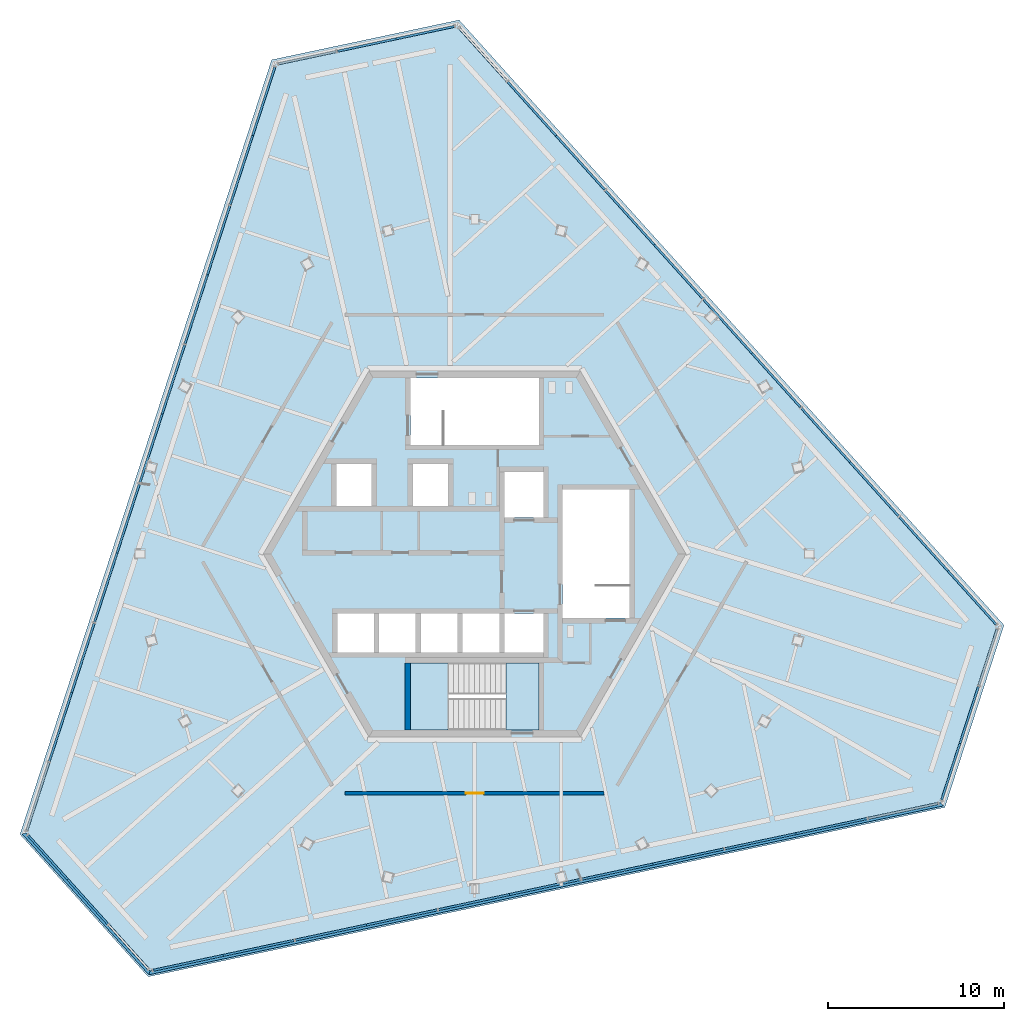
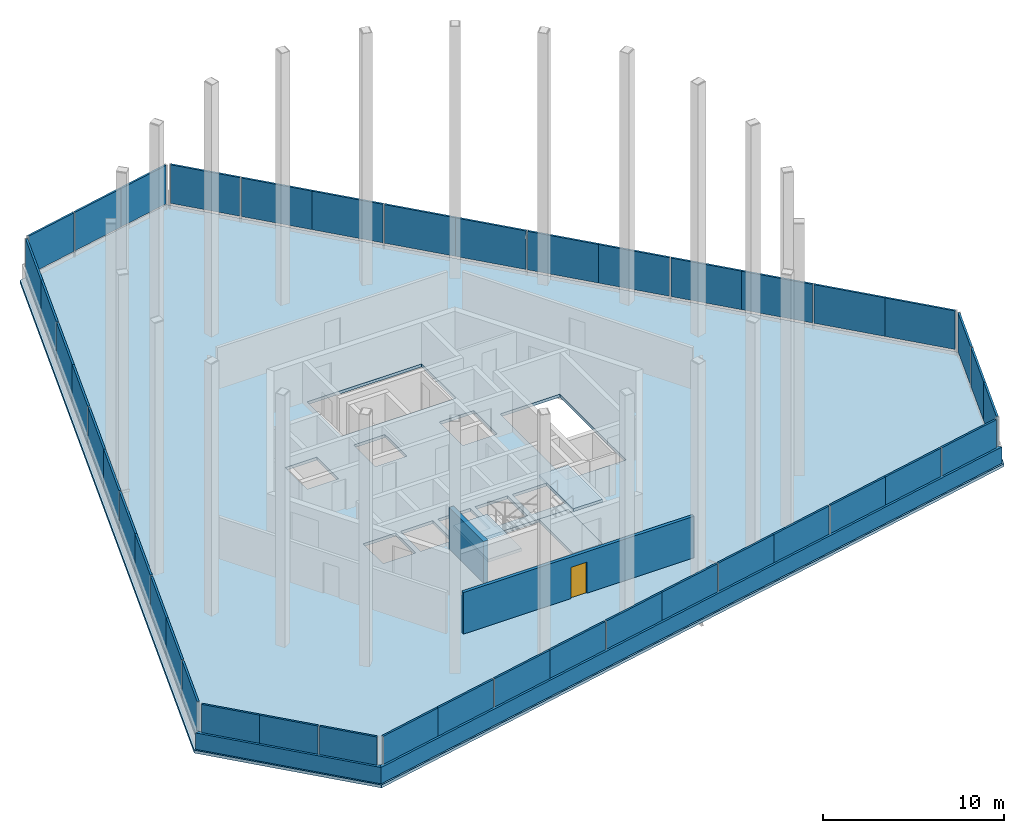
# One storey, part 6 of 11: 42 plates, 4 slabs, 4 walls, 1 door, 1 opening, 7 elements without a shape of their own.
"""IFC4 building model written with IfcOpenShell, lengths in metres."""

import ifcopenshell
import ifcopenshell.guid

model = None  # the IFC model being written
_history = None  # IfcOwnerHistory: only IFC2X3 demands one
_inside = {}  # id of a spatial element -> (the spatial element, [elements in it])
_under = {}  # id of a project, library or spatial element -> (it, [spatial elements below it])
_declared = {}  # id of a project -> (the project, [libraries it declares])
_typed = {}  # id of a type object -> (the type object, [elements of that type])
_made_of = {}  # id of a material, layer set ... -> (it, [elements and type objects made of it])


def new_model(schema):
    """Start an empty IFC model of exactly this schema.

    Asked for "IFC4X3", IfcOpenShell would pick the latest addendum, in which some entities
    have other attributes; the version numbers below select the first issue.
    IFC2X3 requires an IfcOwnerHistory on every rooted entity: one is made here for all.
    """
    global model, _history
    if schema == "IFC4X3":
        model = ifcopenshell.file(schema_version=(4, 3, 0, 0))
    else:
        model = ifcopenshell.file(schema=schema)
    _inside.clear()
    _under.clear()
    _declared.clear()
    _typed.clear()
    _made_of.clear()
    _history = None
    if model.schema == "IFC2X3":
        org = make("IfcOrganization", Name="unknown")
        user = make(
            "IfcPersonAndOrganization",
            ThePerson=make("IfcPerson", FamilyName="unknown"),
            TheOrganization=org,
        )
        app = make(
            "IfcApplication",
            ApplicationDeveloper=org,
            Version="unknown",
            ApplicationFullName="unknown",
            ApplicationIdentifier="unknown",
        )
        _history = make(
            "IfcOwnerHistory",
            OwningUser=user,
            OwningApplication=app,
            ChangeAction="ADDED",
            CreationDate=0,
        )
    return model


def make(cls, **values):
    """One entity of the class cls with the attributes given. An attribute that is None is left unset."""
    return model.create_entity(
        cls, **{name: value for name, value in values.items() if value is not None}
    )


def rooted(cls, **values):
    """An entity with a GlobalId (a new one), such as an element, a storey or a relation."""
    return make(cls, GlobalId=ifcopenshell.guid.new(), OwnerHistory=_history, **values)


def si_unit(unit_type, name, prefix=None):
    """IfcSIUnit, for example si_unit("LENGTHUNIT", "METRE", prefix="MILLI")."""
    return make("IfcSIUnit", UnitType=unit_type, Prefix=prefix, Name=name)


def assignment(units):
    """IfcUnitAssignment: the units of a project."""
    return None if units is None else make("IfcUnitAssignment", Units=units)


def point(xyz):
    """IfcCartesianPoint."""
    return None if xyz is None else make("IfcCartesianPoint", Coordinates=xyz)


def direction(xyz):
    """IfcDirection."""
    return None if xyz is None else make("IfcDirection", DirectionRatios=xyz)


def frame(location, z_axis=None, x_axis=None):
    """IfcAxis2Placement3D, a coordinate frame: its origin and axes. An axis left out is left unset."""
    return make(
        "IfcAxis2Placement3D",
        Location=point(location),
        Axis=direction(z_axis),
        RefDirection=direction(x_axis),
    )


def frame_2d(location, x_axis=None):
    """IfcAxis2Placement2D, a coordinate frame in the plane: its origin and x axis."""
    return make(
        "IfcAxis2Placement2D", Location=point(location), RefDirection=direction(x_axis)
    )


def origin():
    """The frame at (0, 0, 0) with its axes left unset."""
    return frame((0.0, 0.0, 0.0))


def origin_2d():
    """The frame at (0, 0) in the plane with its x axis left unset."""
    return frame_2d((0.0, 0.0))


def place(relative_to, where):
    """IfcLocalPlacement: puts the frame where relative to a parent placement (None: the world)."""
    return make(
        "IfcLocalPlacement", PlacementRelTo=relative_to, RelativePlacement=where
    )


def context(
    kind, dimensions, precision=None, world=None, true_north=None, identifier=None
):
    """IfcGeometricRepresentationContext, for example the 3D "Model" context."""
    return make(
        "IfcGeometricRepresentationContext",
        ContextIdentifier=identifier,
        ContextType=kind,
        CoordinateSpaceDimension=dimensions,
        Precision=precision,
        WorldCoordinateSystem=world,
        TrueNorth=true_north,
    )


def subcontext(parent, identifier, kind, view, scale=None):
    """IfcGeometricRepresentationSubContext, for example "Body" below "Model"."""
    return make(
        "IfcGeometricRepresentationSubContext",
        ContextIdentifier=identifier,
        ContextType=kind,
        ParentContext=parent,
        TargetScale=scale,
        TargetView=view,
    )


def project(units=None, contexts=None):
    """IfcProject with its units and contexts."""
    return rooted(
        "IfcProject",
        Name="project",
        RepresentationContexts=contexts,
        UnitsInContext=assignment(units),
    )


def spatial(cls, under=None, at=None, **own):
    """A site, building, storey or space (cls), placed at a placement, below another one or the project."""
    s = rooted(cls, ObjectPlacement=at, **own)
    if under is not None:
        _under.setdefault(under.id(), (under, []))[1].append(s)
    return s


def polyline(points):
    """IfcPolyline through the points."""
    return make("IfcPolyline", Points=[point(p) for p in points])


def profile(cls, at=None, kind="AREA", **sizes):
    """A parametric profile (cls). Its sizes go by their IFC names, for example OverallWidth=200.0."""
    return make(cls, ProfileType=kind, Position=at, **sizes)


def rectangle(**sizes):
    """IfcRectangleProfileDef."""
    return profile("IfcRectangleProfileDef", **sizes)


def outline(outer, holes=None, kind="AREA"):
    """IfcArbitraryClosedProfileDef: a profile drawn as a closed curve; with holes, ...WithVoids."""
    if holes is None:
        return make("IfcArbitraryClosedProfileDef", ProfileType=kind, OuterCurve=outer)
    return make(
        "IfcArbitraryProfileDefWithVoids",
        ProfileType=kind,
        OuterCurve=outer,
        InnerCurves=holes,
    )


def extrude(swept, where, along, depth):
    """IfcExtrudedAreaSolid: the profile swept, set in the frame where, extruded along a direction by depth."""
    return make(
        "IfcExtrudedAreaSolid",
        SweptArea=swept,
        Position=where,
        ExtrudedDirection=direction(along),
        Depth=depth,
    )


def shape(context_of_items, identifier, shape_type, items):
    """IfcShapeRepresentation: the items that make up one representation, for example the "Body"."""
    return make(
        "IfcShapeRepresentation",
        ContextOfItems=context_of_items,
        RepresentationIdentifier=identifier,
        RepresentationType=shape_type,
        Items=items,
    )


def source(mapping_origin, context_of_items, identifier, shape_type, items):
    """IfcRepresentationMap: a shape defined once, which mapped items show again and again."""
    return make(
        "IfcRepresentationMap",
        MappingOrigin=mapping_origin,
        MappedRepresentation=shape(context_of_items, identifier, shape_type, items),
    )


def transform(
    local_origin,
    x_axis=None,
    y_axis=None,
    z_axis=None,
    scale=None,
    scale2=None,
    scale3=None,
    uniform=True,
):
    """IfcCartesianTransformationOperator3D, or its non-uniform kind. x_axis, y_axis, z_axis: its Axis1, 2, 3."""
    if uniform:
        return make(
            "IfcCartesianTransformationOperator3D",
            Axis1=direction(x_axis),
            Axis2=direction(y_axis),
            LocalOrigin=point(local_origin),
            Scale=scale,
            Axis3=direction(z_axis),
        )
    return make(
        "IfcCartesianTransformationOperator3DnonUniform",
        Axis1=direction(x_axis),
        Axis2=direction(y_axis),
        LocalOrigin=point(local_origin),
        Scale=scale,
        Axis3=direction(z_axis),
        Scale2=scale2,
        Scale3=scale3,
    )


def mapped(mapping_source, mapping_target):
    """IfcMappedItem: shows the shape of a source again, moved by a transform."""
    return make(
        "IfcMappedItem", MappingSource=mapping_source, MappingTarget=mapping_target
    )


def material(Name=None, Category=None):
    """IfcMaterial."""
    return make("IfcMaterial", Name=Name, Category=Category)


def layer(
    of_material, thickness, ventilated=None, Name=None, Category=None, Priority=None
):
    """IfcMaterialLayer: one layer of a wall or slab, of a material (None: an air gap)."""
    return make(
        "IfcMaterialLayer",
        Material=of_material,
        LayerThickness=thickness,
        IsVentilated=ventilated,
        Name=Name,
        Category=Category,
        Priority=Priority,
    )


def layer_set(layers, Name=None):
    """IfcMaterialLayerSet."""
    return make("IfcMaterialLayerSet", MaterialLayers=layers, LayerSetName=Name)


def made_of(thing, what):
    """Note that an element or type object is made of a material, layer set ...; save() writes the relation."""
    if what is not None:
        _made_of.setdefault(what.id(), (what, []))[1].append(thing)
    return thing


def type_object(cls, material=None, **own):
    """A type object (cls), such as IfcWallType, which elements share."""
    return made_of(rooted(cls, **own), material)


def element(
    cls,
    number,
    at=None,
    inside=None,
    cuts=None,
    type_object=None,
    material=None,
    context=None,
    identifier="Body",
    shape_type=None,
    held_by="IfcProductDefinitionShape",
    body=None,
    shapes=None,
    **own,
):
    """One element of the class cls, such as IfcWall. Its Tag is "e" and its number.

    at: its placement. inside: the storey or other place that contains it. cuts: it is an
    opening in that element (IfcRelVoidsElement). A single representation is given by context,
    identifier, shape_type and body (its items); several are given by shapes. held_by: the class
    of the entity that holds the representations. save() writes the other relations.
    """
    e = rooted(cls, Tag="e%d" % number, ObjectPlacement=at, **own)
    if body is not None:
        shapes = [shape(context, identifier, shape_type, body)]
    if shapes is not None:
        e.Representation = make(held_by, Representations=shapes)
    if inside is not None:
        _inside.setdefault(inside.id(), (inside, []))[1].append(e)
    if cuts is not None:
        rooted(
            "IfcRelVoidsElement", RelatingBuildingElement=cuts, RelatedOpeningElement=e
        )
    if type_object is not None:
        _typed.setdefault(type_object.id(), (type_object, []))[1].append(e)
    return made_of(e, material)


def fill(opening, filler):
    """IfcRelFillsElement: the door or window that sits in an opening."""
    return rooted(
        "IfcRelFillsElement",
        RelatingOpeningElement=opening,
        RelatedBuildingElement=filler,
    )


def aggregate(whole, parts):
    """IfcRelAggregates: a whole, such as a stair, and the parts it consists of."""
    return rooted("IfcRelAggregates", RelatingObject=whole, RelatedObjects=parts)


def save(model, path):
    """Write the relations noted so far, then the file.

    IfcRelAggregates (storeys below a building ...), IfcRelContainedInSpatialStructure (elements
    in a storey), IfcRelDefinesByType, IfcRelAssociatesMaterial and IfcRelDeclares: one each for
    every whole, place, type object, material and project.
    """
    for whole, parts in _under.values():
        aggregate(whole, parts)
    for where, things in _inside.values():
        rooted(
            "IfcRelContainedInSpatialStructure",
            RelatedElements=things,
            RelatingStructure=where,
        )
    for kind, things in _typed.values():
        rooted("IfcRelDefinesByType", RelatedObjects=things, RelatingType=kind)
    for what, things in _made_of.values():
        rooted("IfcRelAssociatesMaterial", RelatedObjects=things, RelatingMaterial=what)
    for by, libraries in _declared.values():
        rooted("IfcRelDeclares", RelatingContext=by, RelatedDefinitions=libraries)
    model.write(path)


model = new_model("IFC4")

# Units and contexts
model_context = context("Model", 3, precision=1e-05, world=origin(), true_north=direction((0.0, 1.0)))
body_context = subcontext(model_context, "Body", "Model", "MODEL_VIEW")
ifc_project = project(units=[si_unit("LENGTHUNIT", "METRE"), si_unit("AREAUNIT", "SQUARE_METRE"), si_unit("VOLUMEUNIT", "CUBIC_METRE"), si_unit("PLANEANGLEUNIT", "RADIAN"), si_unit("MASSUNIT", "GRAM", prefix="KILO")], contexts=[model_context])

# Site, building, storey
site_placement = place(None, origin())
site = spatial("IfcSite", under=ifc_project, at=site_placement, CompositionType="ELEMENT")
building_placement = place(site_placement, origin())
building = spatial("IfcBuilding", under=site, at=building_placement, Name="Triune Harvest Tower", CompositionType="ELEMENT")
storey_placement = place(building_placement, frame((0.0, 0.0, 296.699951171875)))
storey = spatial("IfcBuildingStorey", under=building, at=storey_placement, Name="L78", CompositionType="ELEMENT", Elevation=296.699951171875)

# Curtain wall, plates
ifc_material_1 = material(Name="Aluminium bronze anodised", Category="aluminium")
curtain_wall_type = type_object("IfcCurtainWallType", Name="CW-5 Plant louvre wall", PredefinedType="NOTDEFINED", material=ifc_material_1)
curtain_wall_1_placement = place(storey_placement, origin())
curtain_wall_1 = element("IfcCurtainWall", 1, at=curtain_wall_1_placement, inside=storey, type_object=curtain_wall_type, Name="CW-5 CP-F4 L78 run 1")
ifc_material_2 = material(Name="Aluminium bronze anodised", Category="aluminium")
ifc_layer_1 = layer(ifc_material_2, 0.1201171875)
ifc_layer_set_1 = layer_set([ifc_layer_1], Name="Aluminium bronze anodised")
plate_type = type_object("IfcPlateType", Name="GL-5 panel 120", PredefinedType="CURTAIN_PANEL", material=ifc_layer_set_1)
plate_1_placement = place(storey_placement, frame((-24.233154296875, -17.2294921875, 0.39990234375), z_axis=(0.0, 0.0, 1.0), x_axis=(0.669132031472, -0.743143542297, 0.0)))
plate_1 = element("IfcPlate", 2, at=plate_1_placement, type_object=plate_type, Name="CW-5 panel CP-F4 1.1", PredefinedType="CURTAIN_PANEL", context=body_context, shape_type="SweptSolid", body=[
    extrude(rectangle(XDim=3.37109375, YDim=0.1201171875, at=origin_2d()), origin(), (0.0, 0.0, 1.0), 2.60009765625),
])
plate_2_placement = place(storey_placement, frame((-19.65478515625, -22.314208984375, 0.39990234375), z_axis=(0.0, 0.0, 1.0), x_axis=(0.669132031472, -0.743143542297, 0.0)))
plate_2 = element("IfcPlate", 3, at=plate_2_placement, type_object=plate_type, Name="CW-5 panel CP-F4 1.3", PredefinedType="CURTAIN_PANEL", context=body_context, shape_type="SweptSolid", body=[
    extrude(rectangle(XDim=3.3310546875, YDim=0.1201171875, at=origin_2d()), origin(), (0.0, 0.0, 1.0), 2.60009765625),
])

# Slab
ifc_material_3 = material(Name="Concrete 40 MPa", Category="concrete")
ifc_layer_2 = layer(ifc_material_3, 0.199951171875)
ifc_layer_set_2 = layer_set([ifc_layer_2], Name="Concrete 40 MPa")
slab_type_1 = type_object("IfcSlabType", Name="SL-5 Roof slab 200", PredefinedType="FLOOR", material=ifc_layer_set_2)
slab_1_placement = place(storey_placement, frame((0.0, 0.0, -0.199951171875)))
element("IfcSlab", 4, at=slab_1_placement, inside=storey, type_object=slab_type_1, Name="slab/L78/1", PredefinedType="FLOOR", context=body_context, shape_type="SweptSolid", body=[
    extrude(outline(polyline([(30.05810546875, -4.04638671875), (-0.88232421875, 30.31640625), (-11.524658203125, 28.054443359375), (-25.813720703125, -15.922607421875), (-18.533447265625, -24.0078125), (26.696044921875, -14.39404296875), (30.05810546875, -4.04638671875)]), holes=[polyline([(-5.72509765625, -5.590087890625), (-5.72509765625, -3.389892578125), (-7.800048828125, -3.389892578125), (-7.800048828125, -5.590087890625), (-5.72509765625, -5.590087890625)]), polyline([(-3.35009765625, -5.590087890625), (-3.35009765625, -3.389892578125), (-5.425048828125, -3.389892578125), (-5.425048828125, -5.590087890625), (-3.35009765625, -5.590087890625)]), polyline([(-0.97509765625, -5.590087890625), (-0.97509765625, -3.389892578125), (-3.050048828125, -3.389892578125), (-3.050048828125, -5.590087890625), (-0.97509765625, -5.590087890625)]), polyline([(1.39990234375, -5.590087890625), (1.39990234375, -3.389892578125), (-0.675048828125, -3.389892578125), (-0.675048828125, -5.590087890625), (1.39990234375, -5.590087890625)]), polyline([(3.89990234375, 2.06005859375), (3.89990234375, 4.659912109375), (1.699951171875, 4.659912109375), (1.699951171875, 2.06005859375), (3.89990234375, 2.06005859375)]), polyline([(3.89990234375, -5.590087890625), (3.89990234375, -3.389892578125), (1.699951171875, -3.389892578125), (1.699951171875, -5.590087890625), (3.89990234375, -5.590087890625)]), polyline([(-5.85009765625, 2.7099609375), (-5.85009765625, 5.110107421875), (-7.85009765625, 5.110107421875), (-7.85009765625, 2.7099609375), (-5.85009765625, 2.7099609375)]), polyline([(-1.5, 2.7099609375), (-1.5, 5.110107421875), (-3.5, 5.110107421875), (-3.5, 2.7099609375), (-1.5, 2.7099609375)]), polyline([(3.64990234375, 6.18994140625), (3.64990234375, 9.989990234375), (-3.64990234375, 9.989990234375), (-3.64990234375, 6.18994140625), (3.64990234375, 6.18994140625)]), polyline([(3.64990234375, -9.989990234375), (3.64990234375, -6.18994140625), (-3.64990234375, -6.18994140625), (-3.64990234375, -9.989990234375), (3.64990234375, -9.989990234375)]), polyline([(8.800048828125, -3.64990234375), (8.800048828125, 3.64990234375), (5.0, 3.64990234375), (5.0, -3.64990234375), (8.800048828125, -3.64990234375)])]), origin(), (0.0, 0.0, 1.0), 0.199951171875),
])

# Stair, slabs
ifc_material_4 = material(Name="Concrete 40 MPa", Category="concrete")
stair_type = type_object("IfcStairType", Name="Exit stair 1800 half turn", PredefinedType="HALF_TURN_STAIR", material=ifc_material_4)
stair_placement = place(storey_placement, origin())
stair = element("IfcStair", 5, at=stair_placement, inside=storey, type_object=stair_type, Name="Exit stair south", PredefinedType="HALF_TURN_STAIR")
ifc_material_5 = material(Name="Concrete 40 MPa", Category="concrete")
ifc_layer_3 = layer(ifc_material_5, 0.199951171875)
ifc_layer_set_3 = layer_set([ifc_layer_3], Name="Concrete 40 MPa")
slab_type_2 = type_object("IfcSlabType", Name="Stair landing 200", PredefinedType="LANDING", material=ifc_layer_set_3)
shared_shape_1 = source(origin(), body_context, "Body", "SweptSolid", [
    extrude(outline(polyline([(-1.510009765625, -6.18994140625), (-3.64990234375, -6.18994140625), (-3.64990234375, -9.989990234375), (-1.510009765625, -9.989990234375), (-1.510009765625, -6.18994140625)])), origin(), (0.0, 0.0, 1.0), 0.199951171875),
])
slab_2_placement = place(storey_placement, frame((0.0, 0.0, 1.300048828125)))
slab_2 = element("IfcSlab", 6, at=slab_2_placement, type_object=slab_type_2, Name="ST-2 landing 2", PredefinedType="LANDING", context=body_context, shape_type="MappedRepresentation", body=[
    mapped(shared_shape_1, transform((0.0, 0.0, 0.0), scale=1.0)),
])
shared_shape_2 = source(origin(), body_context, "Body", "SweptSolid", [
    extrude(outline(polyline([(3.64990234375, -6.18994140625), (1.780029296875, -6.18994140625), (1.780029296875, -9.989990234375), (3.64990234375, -9.989990234375), (3.64990234375, -6.18994140625)])), origin(), (0.0, 0.0, 1.0), 0.199951171875),
])
slab_3_placement = place(storey_placement, frame((0.0, 0.0, -0.199951171875)))
slab_3 = element("IfcSlab", 7, at=slab_3_placement, type_object=slab_type_2, Name="ST-2 landing 1", PredefinedType="LANDING", context=body_context, shape_type="MappedRepresentation", body=[
    mapped(shared_shape_2, transform((0.0, 0.0, 0.0), scale=1.0)),
])
slab_4_placement = place(storey_placement, frame((0.0, 0.0, 2.800048828125)))
slab_4 = element("IfcSlab", 8, at=slab_4_placement, type_object=slab_type_2, Name="ST-2 landing 3", PredefinedType="LANDING", context=body_context, shape_type="MappedRepresentation", body=[
    mapped(shared_shape_2, transform((0.0, 0.0, 0.0), scale=1.0)),
])
aggregate(stair, [slab_3, slab_2, slab_4])

# Curtain wall, plate
curtain_wall_2_placement = place(storey_placement, origin())
curtain_wall_2 = element("IfcCurtainWall", 9, at=curtain_wall_2_placement, inside=storey, type_object=curtain_wall_type, Name="CW-5 CP-F1 L78 run 1")
shared_shape_3 = source(origin(), body_context, "Body", "SweptSolid", [
    extrude(rectangle(XDim=4.07568359375, YDim=0.1201171875, at=origin_2d()), origin(), (0.0, 0.0, 1.0), 2.60009765625),
])
plate_3_placement = place(storey_placement, frame((28.241943359375, -2.477783203125, 0.39990234375), z_axis=(0.0, 0.0, 1.0), x_axis=(-0.669131447108, 0.743144068463, 0.0)))
plate_3 = element("IfcPlate", 10, at=plate_3_placement, type_object=plate_type, Name="CW-5 panel CP-F1 1.1", PredefinedType="CURTAIN_PANEL", context=body_context, shape_type="MappedRepresentation", body=[
    mapped(shared_shape_3, transform((0.0, 0.0, 0.0), scale=1.0)),
])

curtain_wall_3_placement = place(storey_placement, origin())
curtain_wall_3 = element("IfcCurtainWall", 11, at=curtain_wall_3_placement, inside=storey, type_object=curtain_wall_type, Name="CW-5 CP-F3 L78 run 1")
plate_4_placement = place(storey_placement, frame((-11.97509765625, 25.697265625, 0.39990234375), z_axis=(0.0, 0.0, 1.0), x_axis=(-0.309016354995, -0.951056724042, 0.0)))
plate_4 = element("IfcPlate", 12, at=plate_4_placement, type_object=plate_type, Name="CW-5 panel CP-F3 1.1", PredefinedType="CURTAIN_PANEL", context=body_context, shape_type="MappedRepresentation", body=[
    mapped(shared_shape_3, transform((0.0, 0.0, 0.0), scale=1.0)),
])

curtain_wall_4_placement = place(storey_placement, origin())
curtain_wall_4 = element("IfcCurtainWall", 13, at=curtain_wall_4_placement, inside=storey, type_object=curtain_wall_type, Name="CW-5 CP-F5 L78 run 1")
plate_5_placement = place(storey_placement, frame((-16.266845703125, -23.21923828125, 0.39990234375), z_axis=(0.0, 0.0, 1.0), x_axis=(0.978147751834, 0.207910979944, 0.0)))
plate_5 = element("IfcPlate", 14, at=plate_5_placement, type_object=plate_type, Name="CW-5 panel CP-F5 1.1", PredefinedType="CURTAIN_PANEL", context=body_context, shape_type="MappedRepresentation", body=[
    mapped(shared_shape_3, transform((0.0, 0.0, 0.0), scale=1.0)),
])

# Plate
shared_shape_4 = source(origin(), body_context, "Body", "SweptSolid", [
    extrude(rectangle(XDim=4.11572265625, YDim=0.1201171875, at=origin_2d()), origin(), (0.0, 0.0, 1.0), 2.60009765625),
])
plate_6_placement = place(storey_placement, frame((25.50146484375, 0.56591796875, 0.39990234375), z_axis=(0.0, 0.0, 1.0), x_axis=(-0.669131447108, 0.743144068463, 0.0)))
plate_6 = element("IfcPlate", 15, at=plate_6_placement, type_object=plate_type, Name="CW-5 panel CP-F1 1.2", PredefinedType="CURTAIN_PANEL", context=body_context, shape_type="MappedRepresentation", body=[
    mapped(shared_shape_4, transform((0.0, 0.0, 0.0), scale=1.0)),
])

plate_7_placement = place(storey_placement, frame((22.69384765625, 3.68408203125, 0.39990234375), z_axis=(0.0, 0.0, 1.0), x_axis=(-0.669131447108, 0.743144068463, 0.0)))
plate_7 = element("IfcPlate", 16, at=plate_7_placement, type_object=plate_type, Name="CW-5 panel CP-F1 1.3", PredefinedType="CURTAIN_PANEL", context=body_context, shape_type="MappedRepresentation", body=[
    mapped(shared_shape_4, transform((0.0, 0.0, 0.0), scale=1.0)),
])

plate_8_placement = place(storey_placement, frame((19.93994140625, 6.74267578125, 0.39990234375), z_axis=(0.0, 0.0, 1.0), x_axis=(-0.669131447108, 0.743144068463, 0.0)))
plate_8 = element("IfcPlate", 17, at=plate_8_placement, type_object=plate_type, Name="CW-5 panel CP-F1 1.4", PredefinedType="CURTAIN_PANEL", context=body_context, shape_type="MappedRepresentation", body=[
    mapped(shared_shape_4, transform((0.0, 0.0, 0.0), scale=1.0)),
])

plate_9_placement = place(storey_placement, frame((17.13232421875, 9.86083984375, 0.39990234375), z_axis=(0.0, 0.0, 1.0), x_axis=(-0.669131447108, 0.743144068463, 0.0)))
plate_9 = element("IfcPlate", 18, at=plate_9_placement, type_object=plate_type, Name="CW-5 panel CP-F1 1.5", PredefinedType="CURTAIN_PANEL", context=body_context, shape_type="MappedRepresentation", body=[
    mapped(shared_shape_4, transform((0.0, 0.0, 0.0), scale=1.0)),
])

plate_10_placement = place(storey_placement, frame((14.37841796875, 12.91943359375, 0.39990234375), z_axis=(0.0, 0.0, 1.0), x_axis=(-0.669131447108, 0.743144068463, 0.0)))
plate_10 = element("IfcPlate", 19, at=plate_10_placement, type_object=plate_type, Name="CW-5 panel CP-F1 1.6", PredefinedType="CURTAIN_PANEL", context=body_context, shape_type="MappedRepresentation", body=[
    mapped(shared_shape_4, transform((0.0, 0.0, 0.0), scale=1.0)),
])

plate_11_placement = place(storey_placement, frame((11.57080078125, 16.037353515625, 0.39990234375), z_axis=(0.0, 0.0, 1.0), x_axis=(-0.669131447108, 0.743144068463, 0.0)))
plate_11 = element("IfcPlate", 20, at=plate_11_placement, type_object=plate_type, Name="CW-5 panel CP-F1 1.7", PredefinedType="CURTAIN_PANEL", context=body_context, shape_type="MappedRepresentation", body=[
    mapped(shared_shape_4, transform((0.0, 0.0, 0.0), scale=1.0)),
])

plate_12_placement = place(storey_placement, frame((8.81689453125, 19.095947265625, 0.39990234375), z_axis=(0.0, 0.0, 1.0), x_axis=(-0.669131447108, 0.743144068463, 0.0)))
plate_12 = element("IfcPlate", 21, at=plate_12_placement, type_object=plate_type, Name="CW-5 panel CP-F1 1.8", PredefinedType="CURTAIN_PANEL", context=body_context, shape_type="MappedRepresentation", body=[
    mapped(shared_shape_4, transform((0.0, 0.0, 0.0), scale=1.0)),
])

plate_13_placement = place(storey_placement, frame((6.00927734375, 22.214111328125, 0.39990234375), z_axis=(0.0, 0.0, 1.0), x_axis=(-0.669131447108, 0.743144068463, 0.0)))
plate_13 = element("IfcPlate", 22, at=plate_13_placement, type_object=plate_type, Name="CW-5 panel CP-F1 1.9", PredefinedType="CURTAIN_PANEL", context=body_context, shape_type="MappedRepresentation", body=[
    mapped(shared_shape_4, transform((0.0, 0.0, 0.0), scale=1.0)),
])

plate_14_placement = place(storey_placement, frame((3.25537109375, 25.272705078125, 0.39990234375), z_axis=(0.0, 0.0, 1.0), x_axis=(-0.669131447108, 0.743144068463, 0.0)))
plate_14 = element("IfcPlate", 23, at=plate_14_placement, type_object=plate_type, Name="CW-5 panel CP-F1 1.10", PredefinedType="CURTAIN_PANEL", context=body_context, shape_type="MappedRepresentation", body=[
    mapped(shared_shape_4, transform((0.0, 0.0, 0.0), scale=1.0)),
])

plate_15_placement = place(storey_placement, frame((-13.24072265625, 21.8017578125, 0.39990234375), z_axis=(0.0, 0.0, 1.0), x_axis=(-0.309016354995, -0.951056724042, 0.0)))
plate_15 = element("IfcPlate", 24, at=plate_15_placement, type_object=plate_type, Name="CW-5 panel CP-F3 1.2", PredefinedType="CURTAIN_PANEL", context=body_context, shape_type="MappedRepresentation", body=[
    mapped(shared_shape_4, transform((0.0, 0.0, 0.0), scale=1.0)),
])

plate_16_placement = place(storey_placement, frame((-14.537353515625, 17.8115234375, 0.39990234375), z_axis=(0.0, 0.0, 1.0), x_axis=(-0.309016354995, -0.951056724042, 0.0)))
plate_16 = element("IfcPlate", 25, at=plate_16_placement, type_object=plate_type, Name="CW-5 panel CP-F3 1.3", PredefinedType="CURTAIN_PANEL", context=body_context, shape_type="MappedRepresentation", body=[
    mapped(shared_shape_4, transform((0.0, 0.0, 0.0), scale=1.0)),
])

plate_17_placement = place(storey_placement, frame((-15.809326171875, 13.89697265625, 0.39990234375), z_axis=(0.0, 0.0, 1.0), x_axis=(-0.309016354995, -0.951056724042, 0.0)))
plate_17 = element("IfcPlate", 26, at=plate_17_placement, type_object=plate_type, Name="CW-5 panel CP-F3 1.4", PredefinedType="CURTAIN_PANEL", context=body_context, shape_type="MappedRepresentation", body=[
    mapped(shared_shape_4, transform((0.0, 0.0, 0.0), scale=1.0)),
])

plate_18_placement = place(storey_placement, frame((-17.105712890625, 9.90673828125, 0.39990234375), z_axis=(0.0, 0.0, 1.0), x_axis=(-0.309016354995, -0.951056724042, 0.0)))
plate_18 = element("IfcPlate", 27, at=plate_18_placement, type_object=plate_type, Name="CW-5 panel CP-F3 1.5", PredefinedType="CURTAIN_PANEL", context=body_context, shape_type="MappedRepresentation", body=[
    mapped(shared_shape_4, transform((0.0, 0.0, 0.0), scale=1.0)),
])

plate_19_placement = place(storey_placement, frame((-18.377685546875, 5.9921875, 0.39990234375), z_axis=(0.0, 0.0, 1.0), x_axis=(-0.309016354995, -0.951056724042, 0.0)))
plate_19 = element("IfcPlate", 28, at=plate_19_placement, type_object=plate_type, Name="CW-5 panel CP-F3 1.6", PredefinedType="CURTAIN_PANEL", context=body_context, shape_type="MappedRepresentation", body=[
    mapped(shared_shape_4, transform((0.0, 0.0, 0.0), scale=1.0)),
])

plate_20_placement = place(storey_placement, frame((-19.67431640625, 2.001953125, 0.39990234375), z_axis=(0.0, 0.0, 1.0), x_axis=(-0.309016354995, -0.951056724042, 0.0)))
plate_20 = element("IfcPlate", 29, at=plate_20_placement, type_object=plate_type, Name="CW-5 panel CP-F3 1.7", PredefinedType="CURTAIN_PANEL", context=body_context, shape_type="MappedRepresentation", body=[
    mapped(shared_shape_4, transform((0.0, 0.0, 0.0), scale=1.0)),
])

plate_21_placement = place(storey_placement, frame((-20.946044921875, -1.91259765625, 0.39990234375), z_axis=(0.0, 0.0, 1.0), x_axis=(-0.309016354995, -0.951056724042, 0.0)))
plate_21 = element("IfcPlate", 30, at=plate_21_placement, type_object=plate_type, Name="CW-5 panel CP-F3 1.8", PredefinedType="CURTAIN_PANEL", context=body_context, shape_type="MappedRepresentation", body=[
    mapped(shared_shape_4, transform((0.0, 0.0, 0.0), scale=1.0)),
])

plate_22_placement = place(storey_placement, frame((-22.24267578125, -5.90283203125, 0.39990234375), z_axis=(0.0, 0.0, 1.0), x_axis=(-0.309016354995, -0.951056724042, 0.0)))
plate_22 = element("IfcPlate", 31, at=plate_22_placement, type_object=plate_type, Name="CW-5 panel CP-F3 1.9", PredefinedType="CURTAIN_PANEL", context=body_context, shape_type="MappedRepresentation", body=[
    mapped(shared_shape_4, transform((0.0, 0.0, 0.0), scale=1.0)),
])

plate_23_placement = place(storey_placement, frame((-23.514404296875, -9.8173828125, 0.39990234375), z_axis=(0.0, 0.0, 1.0), x_axis=(-0.309016354995, -0.951056724042, 0.0)))
plate_23 = element("IfcPlate", 32, at=plate_23_placement, type_object=plate_type, Name="CW-5 panel CP-F3 1.10", PredefinedType="CURTAIN_PANEL", context=body_context, shape_type="MappedRepresentation", body=[
    mapped(shared_shape_4, transform((0.0, 0.0, 0.0), scale=1.0)),
])

plate_24_placement = place(storey_placement, frame((-12.260498046875, -22.36767578125, 0.39990234375), z_axis=(0.0, 0.0, 1.0), x_axis=(0.978147751834, 0.207910979944, 0.0)))
plate_24 = element("IfcPlate", 33, at=plate_24_placement, type_object=plate_type, Name="CW-5 panel CP-F5 1.2", PredefinedType="CURTAIN_PANEL", context=body_context, shape_type="MappedRepresentation", body=[
    mapped(shared_shape_4, transform((0.0, 0.0, 0.0), scale=1.0)),
])

plate_25_placement = place(storey_placement, frame((-8.156494140625, -21.495361328125, 0.39990234375), z_axis=(0.0, 0.0, 1.0), x_axis=(0.978147751834, 0.207910979944, 0.0)))
plate_25 = element("IfcPlate", 34, at=plate_25_placement, type_object=plate_type, Name="CW-5 panel CP-F5 1.3", PredefinedType="CURTAIN_PANEL", context=body_context, shape_type="MappedRepresentation", body=[
    mapped(shared_shape_4, transform((0.0, 0.0, 0.0), scale=1.0)),
])

plate_26_placement = place(storey_placement, frame((-4.130615234375, -20.6396484375, 0.39990234375), z_axis=(0.0, 0.0, 1.0), x_axis=(0.978147751834, 0.207910979944, 0.0)))
plate_26 = element("IfcPlate", 35, at=plate_26_placement, type_object=plate_type, Name="CW-5 panel CP-F5 1.4", PredefinedType="CURTAIN_PANEL", context=body_context, shape_type="MappedRepresentation", body=[
    mapped(shared_shape_4, transform((0.0, 0.0, 0.0), scale=1.0)),
])

plate_27_placement = place(storey_placement, frame((-0.026611328125, -19.767333984375, 0.39990234375), z_axis=(0.0, 0.0, 1.0), x_axis=(0.978147751834, 0.207910979944, 0.0)))
plate_27 = element("IfcPlate", 36, at=plate_27_placement, type_object=plate_type, Name="CW-5 panel CP-F5 1.5", PredefinedType="CURTAIN_PANEL", context=body_context, shape_type="MappedRepresentation", body=[
    mapped(shared_shape_4, transform((0.0, 0.0, 0.0), scale=1.0)),
])

plate_28_placement = place(storey_placement, frame((3.999267578125, -18.91162109375, 0.39990234375), z_axis=(0.0, 0.0, 1.0), x_axis=(0.978147751834, 0.207910979944, 0.0)))
plate_28 = element("IfcPlate", 37, at=plate_28_placement, type_object=plate_type, Name="CW-5 panel CP-F5 1.6", PredefinedType="CURTAIN_PANEL", context=body_context, shape_type="MappedRepresentation", body=[
    mapped(shared_shape_4, transform((0.0, 0.0, 0.0), scale=1.0)),
])

plate_29_placement = place(storey_placement, frame((8.103515625, -18.039306640625, 0.39990234375), z_axis=(0.0, 0.0, 1.0), x_axis=(0.978147751834, 0.207910979944, 0.0)))
plate_29 = element("IfcPlate", 38, at=plate_29_placement, type_object=plate_type, Name="CW-5 panel CP-F5 1.7", PredefinedType="CURTAIN_PANEL", context=body_context, shape_type="MappedRepresentation", body=[
    mapped(shared_shape_4, transform((0.0, 0.0, 0.0), scale=1.0)),
])

plate_30_placement = place(storey_placement, frame((12.12939453125, -17.18359375, 0.39990234375), z_axis=(0.0, 0.0, 1.0), x_axis=(0.978147751834, 0.207910979944, 0.0)))
plate_30 = element("IfcPlate", 39, at=plate_30_placement, type_object=plate_type, Name="CW-5 panel CP-F5 1.8", PredefinedType="CURTAIN_PANEL", context=body_context, shape_type="MappedRepresentation", body=[
    mapped(shared_shape_4, transform((0.0, 0.0, 0.0), scale=1.0)),
])

plate_31_placement = place(storey_placement, frame((16.2333984375, -16.311279296875, 0.39990234375), z_axis=(0.0, 0.0, 1.0), x_axis=(0.978147751834, 0.207910979944, 0.0)))
plate_31 = element("IfcPlate", 40, at=plate_31_placement, type_object=plate_type, Name="CW-5 panel CP-F5 1.9", PredefinedType="CURTAIN_PANEL", context=body_context, shape_type="MappedRepresentation", body=[
    mapped(shared_shape_4, transform((0.0, 0.0, 0.0), scale=1.0)),
])

plate_32_placement = place(storey_placement, frame((20.25927734375, -15.45556640625, 0.39990234375), z_axis=(0.0, 0.0, 1.0), x_axis=(0.978147751834, 0.207910979944, 0.0)))
plate_32 = element("IfcPlate", 41, at=plate_32_placement, type_object=plate_type, Name="CW-5 panel CP-F5 1.10", PredefinedType="CURTAIN_PANEL", context=body_context, shape_type="MappedRepresentation", body=[
    mapped(shared_shape_4, transform((0.0, 0.0, 0.0), scale=1.0)),
])

shared_shape_5 = source(origin(), body_context, "Body", "SweptSolid", [
    extrude(rectangle(XDim=4.035888671875, YDim=0.1201171875, at=origin_2d()), origin(), (0.0, 0.0, 1.0), 2.60009765625),
])
plate_33_placement = place(storey_placement, frame((0.474609375, 28.361083984375, 0.39990234375), z_axis=(0.0, 0.0, 1.0), x_axis=(-0.669131447108, 0.743144068463, 0.0)))
plate_33 = element("IfcPlate", 42, at=plate_33_placement, type_object=plate_type, Name="CW-5 panel CP-F1 1.11", PredefinedType="CURTAIN_PANEL", context=body_context, shape_type="MappedRepresentation", body=[
    mapped(shared_shape_5, transform((0.0, 0.0, 0.0), scale=1.0)),
])

aggregate(curtain_wall_2, [plate_3, plate_6, plate_7, plate_8, plate_9, plate_10, plate_11, plate_12, plate_13, plate_14, plate_33])

plate_34_placement = place(storey_placement, frame((-24.798583984375, -13.769775390625, 0.39990234375), z_axis=(0.0, 0.0, 1.0), x_axis=(-0.309016354995, -0.951056724042, 0.0)))
plate_34 = element("IfcPlate", 43, at=plate_34_placement, type_object=plate_type, Name="CW-5 panel CP-F3 1.11", PredefinedType="CURTAIN_PANEL", context=body_context, shape_type="MappedRepresentation", body=[
    mapped(shared_shape_5, transform((0.0, 0.0, 0.0), scale=1.0)),
])

aggregate(curtain_wall_3, [plate_4, plate_15, plate_16, plate_17, plate_18, plate_19, plate_20, plate_21, plate_22, plate_23, plate_34])

plate_35_placement = place(storey_placement, frame((24.32421875, -14.591552734375, 0.39990234375), z_axis=(0.0, 0.0, 1.0), x_axis=(0.978147751834, 0.207910979944, 0.0)))
plate_35 = element("IfcPlate", 44, at=plate_35_placement, type_object=plate_type, Name="CW-5 panel CP-F5 1.11", PredefinedType="CURTAIN_PANEL", context=body_context, shape_type="MappedRepresentation", body=[
    mapped(shared_shape_5, transform((0.0, 0.0, 0.0), scale=1.0)),
])

aggregate(curtain_wall_4, [plate_5, plate_24, plate_25, plate_26, plate_27, plate_28, plate_29, plate_30, plate_31, plate_32, plate_35])

# Curtain wall, plate
curtain_wall_5_placement = place(storey_placement, origin())
curtain_wall_5 = element("IfcCurtainWall", 45, at=curtain_wall_5_placement, inside=storey, type_object=curtain_wall_type, Name="CW-5 CP-F2 L78 run 1")
shared_shape_6 = source(origin(), body_context, "Body", "SweptSolid", [
    extrude(rectangle(XDim=3.371337890625, YDim=0.1201171875, at=origin_2d()), origin(), (0.0, 0.0, 1.0), 2.60009765625),
])
plate_36_placement = place(storey_placement, frame((-2.804443359375, 29.601318359375, 0.39990234375), z_axis=(0.0, 0.0, 1.0), x_axis=(-0.978149078297, -0.207904739307, 0.0)))
plate_36 = element("IfcPlate", 46, at=plate_36_placement, type_object=plate_type, Name="CW-5 panel CP-F2 1.1", PredefinedType="CURTAIN_PANEL", context=body_context, shape_type="MappedRepresentation", body=[
    mapped(shared_shape_6, transform((0.0, 0.0, 0.0), scale=1.0)),
])

curtain_wall_6_placement = place(storey_placement, origin())
curtain_wall_6 = element("IfcCurtainWall", 47, at=curtain_wall_6_placement, inside=storey, type_object=curtain_wall_type, Name="CW-5 CP-F6 L78 run 1")
plate_37_placement = place(storey_placement, frame((27.03759765625, -12.371826171875, 0.39990234375), z_axis=(0.0, 0.0, 1.0), x_axis=(0.309018882717, 0.951055902733, 0.0)))
plate_37 = element("IfcPlate", 48, at=plate_37_placement, type_object=plate_type, Name="CW-5 panel CP-F6 1.1", PredefinedType="CURTAIN_PANEL", context=body_context, shape_type="MappedRepresentation", body=[
    mapped(shared_shape_6, transform((0.0, 0.0, 0.0), scale=1.0)),
])

# Plate
shared_shape_7 = source(origin(), body_context, "Body", "SweptSolid", [
    extrude(rectangle(XDim=3.4111328125, YDim=0.1201171875, at=origin_2d()), origin(), (0.0, 0.0, 1.0), 2.60009765625),
])
plate_38_placement = place(storey_placement, frame((-6.12158203125, 28.896240234375, 0.39990234375), z_axis=(0.0, 0.0, 1.0), x_axis=(-0.978149078297, -0.207904739307, 0.0)))
plate_38 = element("IfcPlate", 49, at=plate_38_placement, type_object=plate_type, Name="CW-5 panel CP-F2 1.2", PredefinedType="CURTAIN_PANEL", context=body_context, shape_type="MappedRepresentation", body=[
    mapped(shared_shape_7, transform((0.0, 0.0, 0.0), scale=1.0)),
])

plate_39_placement = place(storey_placement, frame((-21.964111328125, -19.74951171875, 0.39990234375), z_axis=(0.0, 0.0, 1.0), x_axis=(0.669132031472, -0.743143542297, 0.0)))
plate_39 = element("IfcPlate", 50, at=plate_39_placement, type_object=plate_type, Name="CW-5 panel CP-F4 1.2", PredefinedType="CURTAIN_PANEL", context=body_context, shape_type="MappedRepresentation", body=[
    mapped(shared_shape_7, transform((0.0, 0.0, 0.0), scale=1.0)),
])

aggregate(curtain_wall_1, [plate_1, plate_39, plate_2])

plate_40_placement = place(storey_placement, frame((28.085693359375, -9.146484375, 0.39990234375), z_axis=(0.0, 0.0, 1.0), x_axis=(0.309018882717, 0.951055902733, 0.0)))
plate_40 = element("IfcPlate", 51, at=plate_40_placement, type_object=plate_type, Name="CW-5 panel CP-F6 1.2", PredefinedType="CURTAIN_PANEL", context=body_context, shape_type="MappedRepresentation", body=[
    mapped(shared_shape_7, transform((0.0, 0.0, 0.0), scale=1.0)),
])

shared_shape_8 = source(origin(), body_context, "Body", "SweptSolid", [
    extrude(rectangle(XDim=3.331298828125, YDim=0.1201171875, at=origin_2d()), origin(), (0.0, 0.0, 1.0), 2.60009765625),
])
plate_41_placement = place(storey_placement, frame((-9.497314453125, 28.1787109375, 0.39990234375), z_axis=(0.0, 0.0, 1.0), x_axis=(-0.978149078297, -0.207904739307, 0.0)))
plate_41 = element("IfcPlate", 52, at=plate_41_placement, type_object=plate_type, Name="CW-5 panel CP-F2 1.3", PredefinedType="CURTAIN_PANEL", context=body_context, shape_type="MappedRepresentation", body=[
    mapped(shared_shape_8, transform((0.0, 0.0, 0.0), scale=1.0)),
])

aggregate(curtain_wall_5, [plate_36, plate_38, plate_41])

plate_42_placement = place(storey_placement, frame((29.152099609375, -5.8642578125, 0.39990234375), z_axis=(0.0, 0.0, 1.0), x_axis=(0.309018882717, 0.951055902733, 0.0)))
plate_42 = element("IfcPlate", 53, at=plate_42_placement, type_object=plate_type, Name="CW-5 panel CP-F6 1.3", PredefinedType="CURTAIN_PANEL", context=body_context, shape_type="MappedRepresentation", body=[
    mapped(shared_shape_8, transform((0.0, 0.0, 0.0), scale=1.0)),
])

aggregate(curtain_wall_6, [plate_37, plate_40, plate_42])

# Walls
ifc_material_6 = material(Name="Concrete 40 MPa", Category="concrete")
ifc_layer_4 = layer(ifc_material_6, 0.199951171875)
ifc_layer_set_4 = layer_set([ifc_layer_4], Name="Concrete 40 MPa")
wall_type_1 = type_object("IfcWallType", Name="PA-1 parapet 200", PredefinedType="PARAPET", material=ifc_layer_set_4)
wall_1_placement = place(storey_placement, origin())
element("IfcWall", 54, at=wall_1_placement, inside=storey, type_object=wall_type_1, Name="Parapet outer 4", PredefinedType="PARAPET", context=body_context, shape_type="SweptSolid", body=[
    extrude(outline(polyline([(-25.70068359375, -15.8984375), (-18.497802734375, -23.898193359375), (-18.426513671875, -23.678466796875), (-25.474853515625, -15.8505859375), (-25.70068359375, -15.8984375)])), origin(), (0.0, 0.0, 1.0), 1.10009765625),
])
wall_2_placement = place(storey_placement, origin())
element("IfcWall", 55, at=wall_2_placement, inside=storey, type_object=wall_type_1, Name="Parapet outer 5", PredefinedType="PARAPET", context=body_context, shape_type="SweptSolid", body=[
    extrude(outline(polyline([(-18.497802734375, -23.898193359375), (26.618896484375, -14.30810546875), (26.46435546875, -14.13671875), (-18.426513671875, -23.678466796875), (-18.497802734375, -23.898193359375)])), origin(), (0.0, 0.0, 1.0), 1.10009765625),
])
ifc_material_7 = material(Name="Concrete 70 MPa", Category="concrete")
ifc_layer_5 = layer(ifc_material_7, 0.300048828125)
ifc_layer_set_5 = layer_set([ifc_layer_5], Name="Concrete 70 MPa")
wall_type_2 = type_object("IfcWallType", Name="Core wall 300", PredefinedType="SHEAR", material=ifc_layer_set_5)
shared_shape_9 = source(origin(), body_context, "Body", "SweptSolid", [
    extrude(outline(polyline([(3.800048828125, -0.14990234375), (-0.00439453125, -0.14990234375), (-0.00439453125, 0.14990234375), (3.800048828125, 0.14990234375), (3.800048828125, -0.14990234375)])), origin(), (0.0, 0.0, 1.0), 2.800048828125),
])
wall_3_placement = place(storey_placement, frame((-3.800048828125, -9.989990234375, 0.0), z_axis=(0.0, 0.0, 1.0), x_axis=(0.0, 1.0, 0.0)))
element("IfcWall", 56, at=wall_3_placement, inside=storey, type_object=wall_type_2, Name="Stair s west wall", PredefinedType="SHEAR", context=body_context, shape_type="MappedRepresentation", body=[
    mapped(shared_shape_9, transform((0.0, 0.0, 0.0), scale=1.0)),
])

# Wall, opening, door
ifc_material_8 = material(Name="Gypsum board on steel studs", Category="steel")
ifc_layer_6 = layer(ifc_material_8, 0.199951171875)
ifc_layer_set_6 = layer_set([ifc_layer_6], Name="Gypsum board on steel studs")
wall_type_3 = type_object("IfcWallType", Name="Fire Wall 200 mm", PredefinedType="PARTITIONING", material=ifc_layer_set_6)
shared_shape_10 = source(origin(), body_context, "Body", "SweptSolid", [
    extrude(rectangle(XDim=14.7001953125, YDim=0.199951171875, at=frame_2d((7.35009765625, 0.0))), origin(), (0.0, 0.0, 1.0), 2.800048828125),
])
wall_4_placement = place(storey_placement, frame((-7.35009765625, -13.59228515625, 0.0), z_axis=(0.0, 0.0, 1.0), x_axis=(1.0, 0.0, 0.0)))
wall_4 = element("IfcWall", 57, at=wall_4_placement, inside=storey, type_object=wall_type_3, Name="Partition L78 003", PredefinedType="PARTITIONING", context=body_context, shape_type="MappedRepresentation", body=[
    mapped(shared_shape_10, transform((0.0, 0.0, 0.0), scale=1.0)),
])
opening_placement = place(wall_4_placement, frame((6.857666015625, 0.0, 0.0)))
opening = element("IfcOpeningElement", 58, at=opening_placement, cuts=wall_4, Name="Opening L78-005", PredefinedType="OPENING", context=body_context, shape_type="SweptSolid", body=[
    extrude(rectangle(XDim=1.0, YDim=2.10009765625, at=frame_2d((0.5, 1.050048828125))), frame((0.0, 0.10986328125, 0.0), z_axis=(0.0, -1.0, 0.0), x_axis=(1.0, 0.0, 0.0)), (0.0, 0.0, 1.0), 0.219970703125),
])
ifc_material_9 = material(Name="Timber and steel door set", Category="steel")
door_type = type_object("IfcDoorType", Name="Wide single leaf door FD60 left hand 1000 x 2100", OperationType="SINGLE_SWING_LEFT", PredefinedType="DOOR", material=ifc_material_9)
door_placement = place(opening_placement, origin())
door = element("IfcDoor", 59, at=door_placement, inside=storey, type_object=door_type, Name="Door L78-005 Cooling Tower Area 78.05", OperationType="SINGLE_SWING_LEFT", OverallHeight=2.10009765625, OverallWidth=1.0, PredefinedType="DOOR", context=body_context, shape_type="SweptSolid", body=[
    extrude(rectangle(XDim=1.0, YDim=2.10009765625, at=frame_2d((0.5, 1.050048828125))), frame((0.0, 0.02490234375, 0.0), z_axis=(0.0, -1.0, 0.0), x_axis=(1.0, 0.0, 0.0)), (0.0, 0.0, 1.0), 0.050048828125),
])
fill(opening, door)

save(model, "model.ifc")
